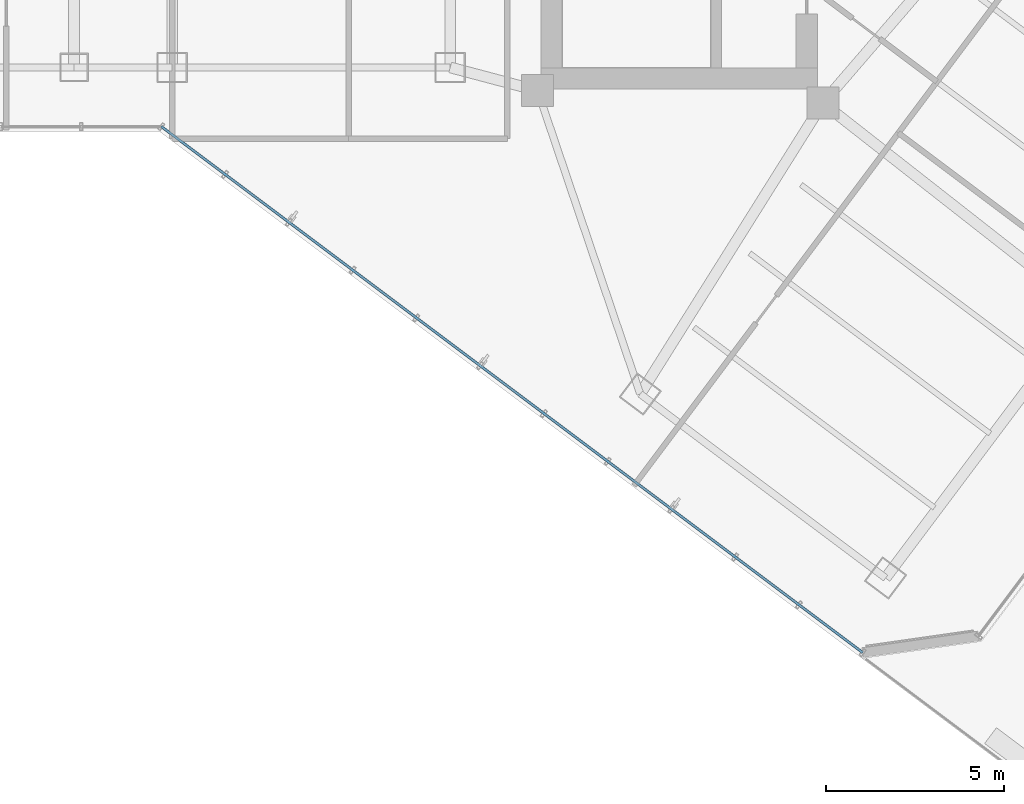
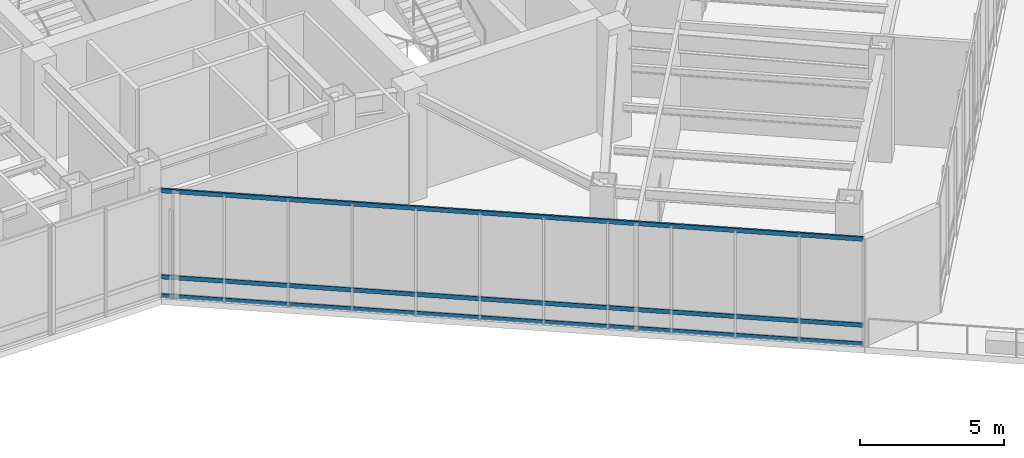
# One storey, part 3 of 30: 3 members, 1 element without a shape of its own.
"""IFC4 building model written with IfcOpenShell, lengths in metres."""

from ifc_helpers import new_model, si_unit, direction, frame, origin, origin_2d, place, context, subcontext, project, spatial, hollow_rectangle, extrude, material, layer, layer_set, material_profile, profile_set, type_object, element, aggregate, save


model = new_model("IFC4")

# Units and contexts
model_context = context("Model", 3, precision=1e-05, world=origin(), true_north=direction((0.0, 1.0)))
body_context = subcontext(model_context, "Body", "Model", "MODEL_VIEW")
ifc_project = project(units=[si_unit("LENGTHUNIT", "METRE"), si_unit("AREAUNIT", "SQUARE_METRE"), si_unit("VOLUMEUNIT", "CUBIC_METRE"), si_unit("PLANEANGLEUNIT", "RADIAN"), si_unit("MASSUNIT", "GRAM", prefix="KILO")], contexts=[model_context])

# Site, building, storey
site_placement = place(None, origin())
site = spatial("IfcSite", under=ifc_project, at=site_placement, CompositionType="ELEMENT")
building_placement = place(site_placement, origin())
building = spatial("IfcBuilding", under=site, at=building_placement, Name="Hatsunagi Terrace Concourse", CompositionType="ELEMENT")
storey_placement = place(building_placement, frame((0.0, 0.0, 130.050048828125)))
storey = spatial("IfcBuildingStorey", under=building, at=storey_placement, Name="L34", CompositionType="ELEMENT", Elevation=130.050048828125)

# Curtain wall, members
ifc_material_1 = material(Name="Anodised Aluminium Alloy 6063-T5", Category="aluminium")
ifc_layer = layer(ifc_material_1, 0.199951171875)
ifc_layer_set = layer_set([ifc_layer], Name="SkyLobbyAtrium_CW05")
curtain_wall_type = type_object("IfcCurtainWallType", Name="SkyLobbyAtrium_CW05", PredefinedType="NOTDEFINED", material=ifc_layer_set)
curtain_wall_placement = place(storey_placement, origin())
curtain_wall = element("IfcCurtainWall", 1, at=curtain_wall_placement, inside=storey, type_object=curtain_wall_type, Name="Unitised Curtain Wall CW-05 CW-L34-05", PredefinedType="NOTDEFINED")
ifc_material_2 = material(Name="Anodised Aluminium Alloy 6063-T5", Category="aluminium")
ifc_material_profile = material_profile(ifc_material_2, hollow_rectangle(XDim=0.070068359375, YDim=0.179931640625, WallThickness=0.00390625, at=origin_2d()), Name="ALU-TRN-180x70x4")
ifc_profile_set = profile_set([ifc_material_profile], Name="Anodised Aluminium Alloy 6063-T5")
member_type = type_object("IfcMemberType", Name="CurtainWallTransom_Heavy_180x70", PredefinedType="USERDEFINED", material=ifc_profile_set)
member_1_placement = place(storey_placement, frame((44.91796875, 8.787109375, 0.050048828125), z_axis=(-0.800004765927, 0.599993645378, 0.0), x_axis=(-0.599993645378, -0.800004765927, 0.0)))
member_1 = element("IfcMember", 2, at=member_1_placement, type_object=member_type, Name="Curtain Wall Transom TRN-01", ObjectType="TRANSOM", PredefinedType="USERDEFINED", context=body_context, shape_type="SweptSolid", body=[
    extrude(hollow_rectangle(XDim=0.070068359375, YDim=0.179931640625, WallThickness=0.00390625, at=origin_2d()), origin(), (0.0, 0.0, 1.0), 24.58837890625),
])
member_2_placement = place(storey_placement, frame((44.91796875, 8.787109375, 0.849853515625), z_axis=(-0.800004765927, 0.599993645378, 0.0), x_axis=(-0.599993645378, -0.800004765927, 0.0)))
member_2 = element("IfcMember", 3, at=member_2_placement, type_object=member_type, Name="Curtain Wall Transom TRN-01", ObjectType="TRANSOM", PredefinedType="USERDEFINED", context=body_context, shape_type="SweptSolid", body=[
    extrude(hollow_rectangle(XDim=0.070068359375, YDim=0.179931640625, WallThickness=0.00390625, at=origin_2d()), origin(), (0.0, 0.0, 1.0), 24.58837890625),
])
member_3_placement = place(storey_placement, frame((44.91796875, 8.787109375, 4.5), z_axis=(-0.800004765927, 0.599993645378, 0.0), x_axis=(-0.599993645378, -0.800004765927, 0.0)))
member_3 = element("IfcMember", 4, at=member_3_placement, type_object=member_type, Name="Curtain Wall Transom TRN-01", ObjectType="TRANSOM", PredefinedType="USERDEFINED", context=body_context, shape_type="SweptSolid", body=[
    extrude(hollow_rectangle(XDim=0.070068359375, YDim=0.179931640625, WallThickness=0.00390625, at=origin_2d()), origin(), (0.0, 0.0, 1.0), 24.58837890625),
])
aggregate(curtain_wall, [member_1, member_2, member_3])

save(model, "model.ifc")
